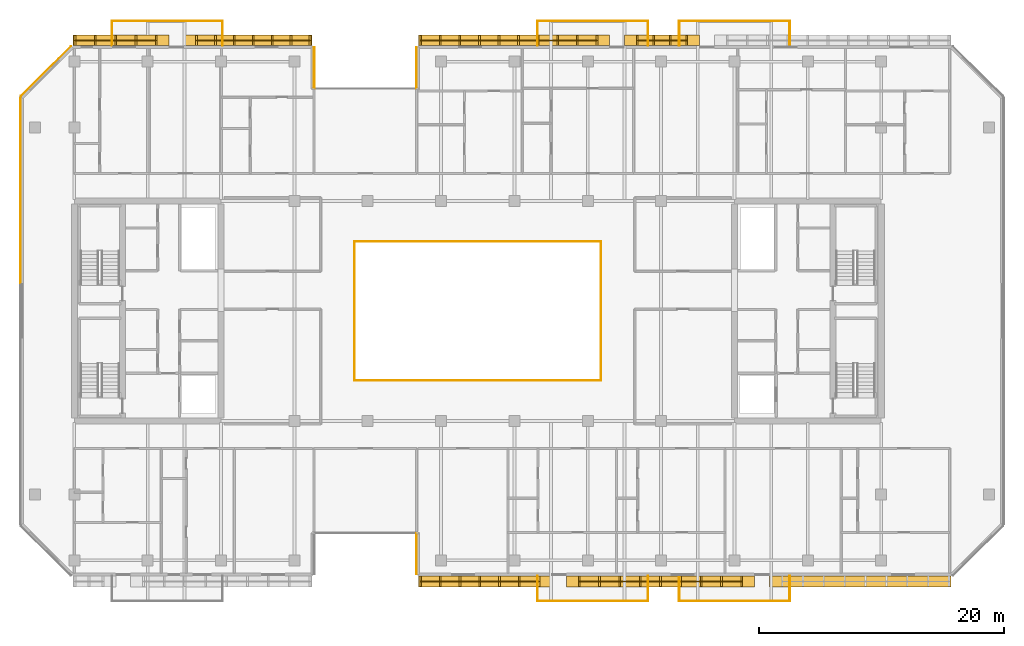
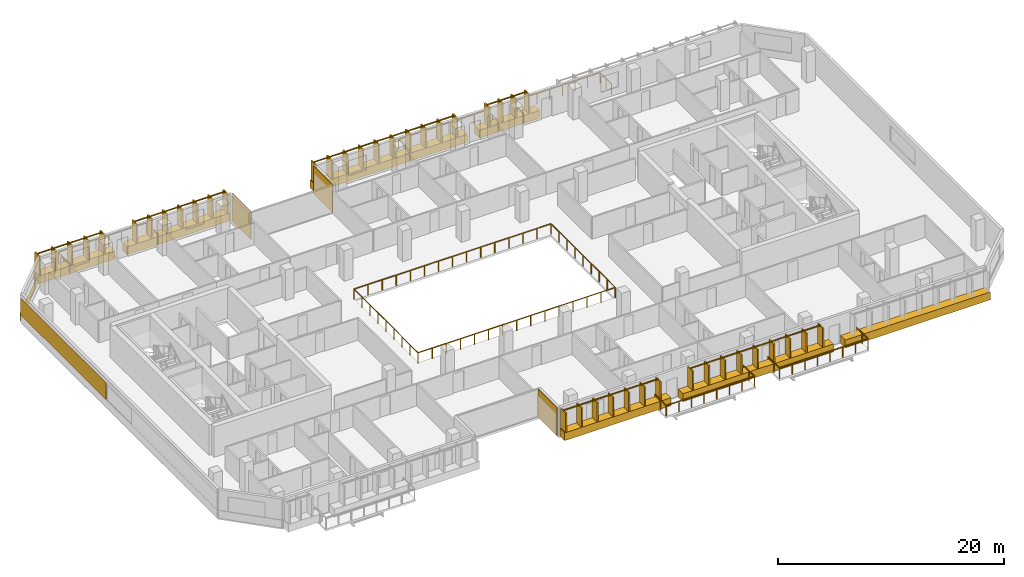
# One storey, part 18 of 20: 13 railings, 12 coverings.
"""IFC4 building model written with IfcOpenShell, lengths in metres."""

from ifc_helpers import new_model, si_unit, direction, frame, origin, origin_2d, place, context, subcontext, project, spatial, rectangle, extrude, material, layer, layer_set, type_object, element, save


model = new_model("IFC4")

# Units and contexts
model_context = context("Model", 3, precision=1e-05, world=origin(), true_north=direction((0.0, 1.0)))
body_context = subcontext(model_context, "Body", "Model", "MODEL_VIEW")
ifc_project = project(units=[si_unit("LENGTHUNIT", "METRE"), si_unit("AREAUNIT", "SQUARE_METRE"), si_unit("VOLUMEUNIT", "CUBIC_METRE"), si_unit("PLANEANGLEUNIT", "RADIAN"), si_unit("MASSUNIT", "GRAM", prefix="KILO")], contexts=[model_context])

# Site, building, storey
site_placement = place(None, origin())
site = spatial("IfcSite", under=ifc_project, at=site_placement, CompositionType="ELEMENT")
building_placement = place(site_placement, origin())
building = spatial("IfcBuilding", under=site, at=building_placement, Name="Tanjung Sevakor Pilgrim Tower", CompositionType="ELEMENT")
storey_placement = place(building_placement, frame((0.0, 0.0, 141.89990234375)))
storey = spatial("IfcBuildingStorey", under=building, at=storey_placement, Name="L39", CompositionType="ELEMENT", Elevation=141.89990234375)

# Coverings
ifc_material_1 = material(Name="Reconstructed Limestone Cladding", Category="masonry")
ifc_layer = layer(ifc_material_1, 0.044921875)
ifc_layer_set = layer_set([ifc_layer], Name="COV-CLAD-LIMESTONE")
covering_type = type_object("IfcCoveringType", Name="COV-CLAD-LIMESTONE", PredefinedType="CLADDING", material=ifc_layer_set)
covering_1_placement = place(storey_placement, frame((51.9775390625, 13.72509765625, 0.02001953125), z_axis=(0.0, 0.0, 1.0), x_axis=(0.0, -1.0, 0.0)))
element("IfcCovering", 1, at=covering_1_placement, inside=storey, type_object=covering_type, Name="L39 Warm Limestone Wall Cladding EW-L39-MAIN-4", PredefinedType="CLADDING", context=body_context, shape_type="SweptSolid", body=[
    extrude(rectangle(XDim=3.360107421875, YDim=0.044921875, at=origin_2d()), origin(), (0.0, 0.0, 1.0), 3.0400390625),
])
covering_2_placement = place(storey_placement, frame((57.6025390625, 11.469970703125, 0.01025390625), z_axis=(0.0, 0.0, 1.0), x_axis=(1.0, 0.0, 0.0)))
element("IfcCovering", 2, at=covering_2_placement, inside=storey, type_object=covering_type, Name="L39 Warm Limestone Sill Spandrel EW-L39-MAIN-5-1", PredefinedType="CLADDING", context=body_context, shape_type="SweptSolid", body=[
    extrude(rectangle(XDim=10.875, YDim=0.860107421875, at=origin_2d()), origin(), (0.0, 0.0, 1.0), 0.840087890625),
])
covering_3_placement = place(storey_placement, frame((71.949951171875, 11.469970703125, 0.01025390625), z_axis=(0.0, 0.0, 1.0), x_axis=(1.0, 0.0, 0.0)))
element("IfcCovering", 3, at=covering_3_placement, inside=storey, type_object=covering_type, Name="L39 Warm Limestone Sill Spandrel EW-L39-MAIN-5-2", PredefinedType="CLADDING", context=body_context, shape_type="SweptSolid", body=[
    extrude(rectangle(XDim=15.3798828125, YDim=0.860107421875, at=origin_2d()), origin(), (0.0, 0.0, 1.0), 0.840087890625),
])
covering_4_placement = place(storey_placement, frame((88.2841796875, 11.469970703125, 0.01025390625), z_axis=(0.0, 0.0, 1.0), x_axis=(1.0, 0.0, 0.0)))
element("IfcCovering", 4, at=covering_4_placement, inside=storey, type_object=covering_type, Name="L39 Warm Limestone Sill Spandrel EW-L39-MAIN-5-3", PredefinedType="CLADDING", context=body_context, shape_type="SweptSolid", body=[
    extrude(rectangle(XDim=14.84814453125, YDim=0.860107421875, at=origin_2d()), origin(), (0.0, 0.0, 1.0), 0.840087890625),
])
covering_5_placement = place(storey_placement, frame((72.074951171875, 55.72998046875, 0.01025390625), z_axis=(0.0, 0.0, 1.0), x_axis=(-1.0, 0.0, 0.0)))
element("IfcCovering", 5, at=covering_5_placement, inside=storey, type_object=covering_type, Name="L39 Warm Limestone Sill Spandrel EW-L39-MAIN-9-2", PredefinedType="CLADDING", context=body_context, shape_type="SweptSolid", body=[
    extrude(rectangle(XDim=6.1298828125, YDim=0.860107421875, at=origin_2d()), origin(), (0.0, 0.0, 1.0), 0.840087890625),
])
covering_6_placement = place(storey_placement, frame((59.9775390625, 55.72998046875, 0.01025390625), z_axis=(0.0, 0.0, 1.0), x_axis=(-1.0, 0.0, 0.0)))
element("IfcCovering", 6, at=covering_6_placement, inside=storey, type_object=covering_type, Name="L39 Warm Limestone Sill Spandrel EW-L39-MAIN-9-3", PredefinedType="CLADDING", context=body_context, shape_type="SweptSolid", body=[
    extrude(rectangle(XDim=15.625, YDim=0.860107421875, at=origin_2d()), origin(), (0.0, 0.0, 1.0), 0.840087890625),
])
for number, where, z_axis, x_axis, name in (
    (7, (51.9775390625, 53.47509765625, 0.02001953125), (0.0, 0.0, 1.0), (0.0, -1.0, 0.0), "L39 Warm Limestone Wall Cladding EW-L39-MAIN-10"),
    (8, (43.62255859375, 53.47509765625, 0.02001953125), (0.0, 0.0, 1.0), (0.0, 1.0, 0.0), "L39 Warm Limestone Wall Cladding EW-L39-MAIN-12"),
):
    element("IfcCovering", number, at=place(storey_placement, frame(where, z_axis=z_axis, x_axis=x_axis)), inside=storey, type_object=covering_type, Name=name, PredefinedType="CLADDING", context=body_context, shape_type="SweptSolid", body=[
        extrude(rectangle(XDim=3.360107421875, YDim=0.044921875, at=origin_2d()), origin(), (0.0, 0.0, 1.0), 3.0400390625),
    ])
covering_7_placement = place(storey_placement, frame((38.197509765625, 55.72998046875, 0.01025390625), z_axis=(0.0, 0.0, 1.0), x_axis=(-1.0, 0.0, 0.0)))
element("IfcCovering", 9, at=covering_7_placement, inside=storey, type_object=covering_type, Name="L39 Warm Limestone Sill Spandrel EW-L39-MAIN-13-1", PredefinedType="CLADDING", context=body_context, shape_type="SweptSolid", body=[
    extrude(rectangle(XDim=10.47509765625, YDim=0.860107421875, at=origin_2d()), origin(), (0.0, 0.0, 1.0), 0.840087890625),
])
covering_8_placement = place(storey_placement, frame((27.81591796875, 55.72998046875, 0.01025390625), z_axis=(0.0, 0.0, 1.0), x_axis=(-1.0, 0.0, 0.0)))
element("IfcCovering", 10, at=covering_8_placement, inside=storey, type_object=covering_type, Name="L39 Warm Limestone Sill Spandrel EW-L39-MAIN-13-2", PredefinedType="CLADDING", context=body_context, shape_type="SweptSolid", body=[
    extrude(rectangle(XDim=7.84814453125, YDim=0.860107421875, at=origin_2d()), origin(), (0.0, 0.0, 1.0), 0.840087890625),
])
covering_9_placement = place(storey_placement, frame((21.68408203125, 53.2158203125, 0.01025390625), z_axis=(0.0, 0.0, 1.0), x_axis=(-0.707106781187, -0.707106781187, 0.0)))
element("IfcCovering", 11, at=covering_9_placement, inside=storey, type_object=covering_type, Name="L39 Warm Limestone Sill Spandrel EW-CHM-L39-MAIN-13-1", PredefinedType="CLADDING", context=body_context, shape_type="SweptSolid", body=[
    extrude(rectangle(XDim=5.756103515625, YDim=0.044921875, at=origin_2d()), origin(), (0.0, 0.0, 1.0), 0.840087890625),
])
covering_10_placement = place(storey_placement, frame((19.577392578125, 43.42919921875, 0.85009765625), z_axis=(0.0, 0.0, 1.0), x_axis=(0.0, -1.0, 0.0)))
element("IfcCovering", 12, at=covering_10_placement, inside=storey, type_object=covering_type, Name="L39 Warm Limestone Pier Panel EW-L39-MAIN-15-1", PredefinedType="CLADDING", context=body_context, shape_type="SweptSolid", body=[
    extrude(rectangle(XDim=15.158203125, YDim=0.044921875, at=origin_2d()), origin(), (0.0, 0.0, 1.0), 1.81005859375),
])

# Railings
ifc_material_2 = material(Name="Laminated Glass and Aluminium", Category="aluminium")
railing_type_1 = type_object("IfcRailingType", Name="RL-BAL-BALUST", PredefinedType="BALUSTRADE", material=ifc_material_2)
railing_1_placement = place(storey_placement, frame((46.919921875, 27.919921875, 0.0)))
element("IfcRailing", 13, at=railing_1_placement, inside=storey, type_object=railing_type_1, Name="L39 Void Opening Balustrade 1A", PredefinedType="BALUSTRADE", context=body_context, shape_type="SweptSolid", body=[
    extrude(rectangle(XDim=0.0479, YDim=0.0479), frame((0.0, 0.0, 1.1259765625), z_axis=(1.0, 0.0, 0.0), x_axis=(0.0, 1.0, 0.0)), (0.0, 0.0, 1.0), 20.16015625),
    extrude(rectangle(XDim=0.0479, YDim=0.0479), frame((20.16015625, 0.0, 1.1259765625), z_axis=(0.0, 1.0, 0.0), x_axis=(-1.0, 0.0, 0.0)), (0.0, 0.0, 1.0), 11.360107421875),
    extrude(rectangle(XDim=0.042, YDim=0.042), origin(), (0.0, 0.0, 1.0), 1.101806640625),
    extrude(rectangle(XDim=0.042, YDim=0.042), frame((1.43994140625, 0.0, 0.0)), (0.0, 0.0, 1.0), 1.101806640625),
    extrude(rectangle(XDim=0.042, YDim=0.042), frame((2.880126953125, 0.0, 0.0)), (0.0, 0.0, 1.0), 1.101806640625),
    extrude(rectangle(XDim=0.042, YDim=0.042), frame((4.320068359375, 0.0, 0.0)), (0.0, 0.0, 1.0), 1.101806640625),
    extrude(rectangle(XDim=0.042, YDim=0.042), frame((5.760009765625, 0.0, 0.0)), (0.0, 0.0, 1.0), 1.101806640625),
    extrude(rectangle(XDim=0.042, YDim=0.042), frame((7.199951171875, 0.0, 0.0)), (0.0, 0.0, 1.0), 1.101806640625),
    extrude(rectangle(XDim=0.042, YDim=0.042), frame((8.64013671875, 0.0, 0.0)), (0.0, 0.0, 1.0), 1.101806640625),
    extrude(rectangle(XDim=0.042, YDim=0.042), frame((10.080078125, 0.0, 0.0)), (0.0, 0.0, 1.0), 1.101806640625),
    extrude(rectangle(XDim=0.042, YDim=0.042), frame((11.52001953125, 0.0, 0.0)), (0.0, 0.0, 1.0), 1.101806640625),
    extrude(rectangle(XDim=0.042, YDim=0.042), frame((12.960205078125, 0.0, 0.0)), (0.0, 0.0, 1.0), 1.101806640625),
    extrude(rectangle(XDim=0.042, YDim=0.042), frame((14.400146484375, 0.0, 0.0)), (0.0, 0.0, 1.0), 1.101806640625),
    extrude(rectangle(XDim=0.042, YDim=0.042), frame((15.840087890625, 0.0, 0.0)), (0.0, 0.0, 1.0), 1.101806640625),
    extrude(rectangle(XDim=0.042, YDim=0.042), frame((17.280029296875, 0.0, 0.0)), (0.0, 0.0, 1.0), 1.101806640625),
    extrude(rectangle(XDim=0.042, YDim=0.042), frame((18.72021484375, 0.0, 0.0)), (0.0, 0.0, 1.0), 1.101806640625),
    extrude(rectangle(XDim=0.042, YDim=0.042), frame((20.16015625, 0.0, 0.0)), (0.0, 0.0, 1.0), 1.101806640625),
    extrude(rectangle(XDim=0.042, YDim=0.042), frame((20.16015625, 1.419921875, 0.0)), (0.0, 0.0, 1.0), 1.101806640625),
    extrude(rectangle(XDim=0.042, YDim=0.042), frame((20.16015625, 2.840087890625, 0.0)), (0.0, 0.0, 1.0), 1.101806640625),
    extrude(rectangle(XDim=0.042, YDim=0.042), frame((20.16015625, 4.260009765625, 0.0)), (0.0, 0.0, 1.0), 1.101806640625),
    extrude(rectangle(XDim=0.042, YDim=0.042), frame((20.16015625, 5.68017578125, 0.0)), (0.0, 0.0, 1.0), 1.101806640625),
    extrude(rectangle(XDim=0.042, YDim=0.042), frame((20.16015625, 7.10009765625, 0.0)), (0.0, 0.0, 1.0), 1.101806640625),
    extrude(rectangle(XDim=0.042, YDim=0.042), frame((20.16015625, 8.52001953125, 0.0)), (0.0, 0.0, 1.0), 1.101806640625),
    extrude(rectangle(XDim=0.042, YDim=0.042), frame((20.16015625, 9.940185546875, 0.0)), (0.0, 0.0, 1.0), 1.101806640625),
    extrude(rectangle(XDim=0.042, YDim=0.042), frame((20.16015625, 11.360107421875, 0.0)), (0.0, 0.0, 1.0), 1.101806640625),
])
railing_2_placement = place(storey_placement, frame((67.080078125, 39.280029296875, 0.0)))
element("IfcRailing", 14, at=railing_2_placement, inside=storey, type_object=railing_type_1, Name="L39 Void Opening Balustrade 1B", PredefinedType="BALUSTRADE", context=body_context, shape_type="SweptSolid", body=[
    extrude(rectangle(XDim=0.0479, YDim=0.0479), frame((0.0, 0.0, 1.1259765625), z_axis=(-1.0, 0.0, 0.0), x_axis=(0.0, -1.0, 0.0)), (0.0, 0.0, 1.0), 20.16015625),
    extrude(rectangle(XDim=0.0479, YDim=0.0479), frame((-20.16015625, 0.0, 1.1259765625), z_axis=(0.0, -1.0, 0.0), x_axis=(1.0, 0.0, 0.0)), (0.0, 0.0, 1.0), 11.360107421875),
    extrude(rectangle(XDim=0.042, YDim=0.042), origin(), (0.0, 0.0, 1.0), 1.101806640625),
    extrude(rectangle(XDim=0.042, YDim=0.042), frame((-1.43994140625, 0.0, 0.0)), (0.0, 0.0, 1.0), 1.101806640625),
    extrude(rectangle(XDim=0.042, YDim=0.042), frame((-2.880126953125, 0.0, 0.0)), (0.0, 0.0, 1.0), 1.101806640625),
    extrude(rectangle(XDim=0.042, YDim=0.042), frame((-4.320068359375, 0.0, 0.0)), (0.0, 0.0, 1.0), 1.101806640625),
    extrude(rectangle(XDim=0.042, YDim=0.042), frame((-5.760009765625, 0.0, 0.0)), (0.0, 0.0, 1.0), 1.101806640625),
    extrude(rectangle(XDim=0.042, YDim=0.042), frame((-7.199951171875, 0.0, 0.0)), (0.0, 0.0, 1.0), 1.101806640625),
    extrude(rectangle(XDim=0.042, YDim=0.042), frame((-8.64013671875, 0.0, 0.0)), (0.0, 0.0, 1.0), 1.101806640625),
    extrude(rectangle(XDim=0.042, YDim=0.042), frame((-10.080078125, 0.0, 0.0)), (0.0, 0.0, 1.0), 1.101806640625),
    extrude(rectangle(XDim=0.042, YDim=0.042), frame((-11.52001953125, 0.0, 0.0)), (0.0, 0.0, 1.0), 1.101806640625),
    extrude(rectangle(XDim=0.042, YDim=0.042), frame((-12.960205078125, 0.0, 0.0)), (0.0, 0.0, 1.0), 1.101806640625),
    extrude(rectangle(XDim=0.042, YDim=0.042), frame((-14.400146484375, 0.0, 0.0)), (0.0, 0.0, 1.0), 1.101806640625),
    extrude(rectangle(XDim=0.042, YDim=0.042), frame((-15.840087890625, 0.0, 0.0)), (0.0, 0.0, 1.0), 1.101806640625),
    extrude(rectangle(XDim=0.042, YDim=0.042), frame((-17.280029296875, 0.0, 0.0)), (0.0, 0.0, 1.0), 1.101806640625),
    extrude(rectangle(XDim=0.042, YDim=0.042), frame((-18.72021484375, 0.0, 0.0)), (0.0, 0.0, 1.0), 1.101806640625),
    extrude(rectangle(XDim=0.042, YDim=0.042), frame((-20.16015625, 0.0, 0.0)), (0.0, 0.0, 1.0), 1.101806640625),
    extrude(rectangle(XDim=0.042, YDim=0.042), frame((-20.16015625, -1.419921875, 0.0)), (0.0, 0.0, 1.0), 1.101806640625),
    extrude(rectangle(XDim=0.042, YDim=0.042), frame((-20.16015625, -2.840087890625, 0.0)), (0.0, 0.0, 1.0), 1.101806640625),
    extrude(rectangle(XDim=0.042, YDim=0.042), frame((-20.16015625, -4.260009765625, 0.0)), (0.0, 0.0, 1.0), 1.101806640625),
    extrude(rectangle(XDim=0.042, YDim=0.042), frame((-20.16015625, -5.68017578125, 0.0)), (0.0, 0.0, 1.0), 1.101806640625),
    extrude(rectangle(XDim=0.042, YDim=0.042), frame((-20.16015625, -7.10009765625, 0.0)), (0.0, 0.0, 1.0), 1.101806640625),
    extrude(rectangle(XDim=0.042, YDim=0.042), frame((-20.16015625, -8.52001953125, 0.0)), (0.0, 0.0, 1.0), 1.101806640625),
    extrude(rectangle(XDim=0.042, YDim=0.042), frame((-20.16015625, -9.940185546875, 0.0)), (0.0, 0.0, 1.0), 1.101806640625),
    extrude(rectangle(XDim=0.042, YDim=0.042), frame((-20.16015625, -11.360107421875, 0.0)), (0.0, 0.0, 1.0), 1.101806640625),
])
railing_3_placement = place(storey_placement, frame((27.080078125, 55.300048828125, 0.0)))
element("IfcRailing", 15, at=railing_3_placement, inside=storey, type_object=railing_type_1, Name="L39 Loggia Balustrade MAIN-N1", PredefinedType="BALUSTRADE", context=body_context, shape_type="SweptSolid", body=[
    extrude(rectangle(XDim=0.0479, YDim=0.0479), frame((0.0, 0.0, 1.1259765625), z_axis=(0.0, 1.0, 0.0), x_axis=(-1.0, 0.0, 0.0)), (0.0, 0.0, 1.0), 2.02001953125),
    extrude(rectangle(XDim=0.0479, YDim=0.0479), frame((0.0, 2.02001953125, 1.1259765625), z_axis=(1.0, 0.0, 0.0), x_axis=(0.0, 1.0, 0.0)), (0.0, 0.0, 1.0), 9.0400390625),
    extrude(rectangle(XDim=0.0479, YDim=0.0479), frame((9.0400390625, 2.02001953125, 1.1259765625), z_axis=(0.0, -1.0, 0.0), x_axis=(1.0, 0.0, 0.0)), (0.0, 0.0, 1.0), 2.02001953125),
    extrude(rectangle(XDim=0.042, YDim=0.042), origin(), (0.0, 0.0, 1.0), 1.101806640625),
    extrude(rectangle(XDim=0.042, YDim=0.042), frame((0.0, 1.010009765625, 0.0)), (0.0, 0.0, 1.0), 1.101806640625),
    extrude(rectangle(XDim=0.042, YDim=0.042), frame((0.0, 2.02001953125, 0.0)), (0.0, 0.0, 1.0), 1.101806640625),
    extrude(rectangle(XDim=0.042, YDim=0.042), frame((1.29150390625, 2.02001953125, 0.0)), (0.0, 0.0, 1.0), 1.101806640625),
    extrude(rectangle(XDim=0.042, YDim=0.042), frame((2.582763671875, 2.02001953125, 0.0)), (0.0, 0.0, 1.0), 1.101806640625),
    extrude(rectangle(XDim=0.042, YDim=0.042), frame((3.874267578125, 2.02001953125, 0.0)), (0.0, 0.0, 1.0), 1.101806640625),
    extrude(rectangle(XDim=0.042, YDim=0.042), frame((5.165771484375, 2.02001953125, 0.0)), (0.0, 0.0, 1.0), 1.101806640625),
    extrude(rectangle(XDim=0.042, YDim=0.042), frame((6.457275390625, 2.02001953125, 0.0)), (0.0, 0.0, 1.0), 1.101806640625),
    extrude(rectangle(XDim=0.042, YDim=0.042), frame((7.74853515625, 2.02001953125, 0.0)), (0.0, 0.0, 1.0), 1.101806640625),
    extrude(rectangle(XDim=0.042, YDim=0.042), frame((9.0400390625, 2.02001953125, 0.0)), (0.0, 0.0, 1.0), 1.101806640625),
    extrude(rectangle(XDim=0.042, YDim=0.042), frame((9.0400390625, 1.010009765625, 0.0)), (0.0, 0.0, 1.0), 1.101806640625),
    extrude(rectangle(XDim=0.042, YDim=0.042), frame((9.0400390625, 0.0, 0.0)), (0.0, 0.0, 1.0), 1.101806640625),
])
railing_4_placement = place(storey_placement, frame((61.8798828125, 11.89990234375, 0.0)))
element("IfcRailing", 16, at=railing_4_placement, inside=storey, type_object=railing_type_1, Name="L39 Loggia Balustrade MAIN-S2", PredefinedType="BALUSTRADE", context=body_context, shape_type="SweptSolid", body=[
    extrude(rectangle(XDim=0.0479, YDim=0.0479), frame((0.0, 0.0, 1.1259765625), z_axis=(0.0, -1.0, 0.0), x_axis=(1.0, 0.0, 0.0)), (0.0, 0.0, 1.0), 2.02001953125),
    extrude(rectangle(XDim=0.0479, YDim=0.0479), frame((0.0, -2.02001953125, 1.1259765625), z_axis=(1.0, 0.0, 0.0), x_axis=(0.0, 1.0, 0.0)), (0.0, 0.0, 1.0), 9.0400390625),
    extrude(rectangle(XDim=0.0479, YDim=0.0479), frame((9.0400390625, -2.02001953125, 1.1259765625), z_axis=(0.0, 1.0, 0.0), x_axis=(-1.0, 0.0, 0.0)), (0.0, 0.0, 1.0), 2.02001953125),
    extrude(rectangle(XDim=0.042, YDim=0.042), origin(), (0.0, 0.0, 1.0), 1.101806640625),
    extrude(rectangle(XDim=0.042, YDim=0.042), frame((0.0, -1.010009765625, 0.0)), (0.0, 0.0, 1.0), 1.101806640625),
    extrude(rectangle(XDim=0.042, YDim=0.042), frame((0.0, -2.02001953125, 0.0)), (0.0, 0.0, 1.0), 1.101806640625),
    extrude(rectangle(XDim=0.042, YDim=0.042), frame((1.29150390625, -2.02001953125, 0.0)), (0.0, 0.0, 1.0), 1.101806640625),
    extrude(rectangle(XDim=0.042, YDim=0.042), frame((2.582763671875, -2.02001953125, 0.0)), (0.0, 0.0, 1.0), 1.101806640625),
    extrude(rectangle(XDim=0.042, YDim=0.042), frame((3.874267578125, -2.02001953125, 0.0)), (0.0, 0.0, 1.0), 1.101806640625),
    extrude(rectangle(XDim=0.042, YDim=0.042), frame((5.165771484375, -2.02001953125, 0.0)), (0.0, 0.0, 1.0), 1.101806640625),
    extrude(rectangle(XDim=0.042, YDim=0.042), frame((6.457275390625, -2.02001953125, 0.0)), (0.0, 0.0, 1.0), 1.101806640625),
    extrude(rectangle(XDim=0.042, YDim=0.042), frame((7.74853515625, -2.02001953125, 0.0)), (0.0, 0.0, 1.0), 1.101806640625),
    extrude(rectangle(XDim=0.042, YDim=0.042), frame((9.0400390625, -2.02001953125, 0.0)), (0.0, 0.0, 1.0), 1.101806640625),
    extrude(rectangle(XDim=0.042, YDim=0.042), frame((9.0400390625, -1.010009765625, 0.0)), (0.0, 0.0, 1.0), 1.101806640625),
    extrude(rectangle(XDim=0.042, YDim=0.042), frame((9.0400390625, 0.0, 0.0)), (0.0, 0.0, 1.0), 1.101806640625),
])
railing_5_placement = place(storey_placement, frame((61.8798828125, 55.300048828125, 0.0)))
element("IfcRailing", 17, at=railing_5_placement, inside=storey, type_object=railing_type_1, Name="L39 Loggia Balustrade MAIN-N2", PredefinedType="BALUSTRADE", context=body_context, shape_type="SweptSolid", body=[
    extrude(rectangle(XDim=0.0479, YDim=0.0479), frame((0.0, 0.0, 1.1259765625), z_axis=(0.0, 1.0, 0.0), x_axis=(-1.0, 0.0, 0.0)), (0.0, 0.0, 1.0), 2.02001953125),
    extrude(rectangle(XDim=0.0479, YDim=0.0479), frame((0.0, 2.02001953125, 1.1259765625), z_axis=(1.0, 0.0, 0.0), x_axis=(0.0, 1.0, 0.0)), (0.0, 0.0, 1.0), 9.0400390625),
    extrude(rectangle(XDim=0.0479, YDim=0.0479), frame((9.0400390625, 2.02001953125, 1.1259765625), z_axis=(0.0, -1.0, 0.0), x_axis=(1.0, 0.0, 0.0)), (0.0, 0.0, 1.0), 2.02001953125),
    extrude(rectangle(XDim=0.042, YDim=0.042), origin(), (0.0, 0.0, 1.0), 1.101806640625),
    extrude(rectangle(XDim=0.042, YDim=0.042), frame((0.0, 1.010009765625, 0.0)), (0.0, 0.0, 1.0), 1.101806640625),
    extrude(rectangle(XDim=0.042, YDim=0.042), frame((0.0, 2.02001953125, 0.0)), (0.0, 0.0, 1.0), 1.101806640625),
    extrude(rectangle(XDim=0.042, YDim=0.042), frame((1.29150390625, 2.02001953125, 0.0)), (0.0, 0.0, 1.0), 1.101806640625),
    extrude(rectangle(XDim=0.042, YDim=0.042), frame((2.582763671875, 2.02001953125, 0.0)), (0.0, 0.0, 1.0), 1.101806640625),
    extrude(rectangle(XDim=0.042, YDim=0.042), frame((3.874267578125, 2.02001953125, 0.0)), (0.0, 0.0, 1.0), 1.101806640625),
    extrude(rectangle(XDim=0.042, YDim=0.042), frame((5.165771484375, 2.02001953125, 0.0)), (0.0, 0.0, 1.0), 1.101806640625),
    extrude(rectangle(XDim=0.042, YDim=0.042), frame((6.457275390625, 2.02001953125, 0.0)), (0.0, 0.0, 1.0), 1.101806640625),
    extrude(rectangle(XDim=0.042, YDim=0.042), frame((7.74853515625, 2.02001953125, 0.0)), (0.0, 0.0, 1.0), 1.101806640625),
    extrude(rectangle(XDim=0.042, YDim=0.042), frame((9.0400390625, 2.02001953125, 0.0)), (0.0, 0.0, 1.0), 1.101806640625),
    extrude(rectangle(XDim=0.042, YDim=0.042), frame((9.0400390625, 1.010009765625, 0.0)), (0.0, 0.0, 1.0), 1.101806640625),
    extrude(rectangle(XDim=0.042, YDim=0.042), frame((9.0400390625, 0.0, 0.0)), (0.0, 0.0, 1.0), 1.101806640625),
])
railing_6_placement = place(storey_placement, frame((73.47998046875, 11.89990234375, 0.0)))
element("IfcRailing", 18, at=railing_6_placement, inside=storey, type_object=railing_type_1, Name="L39 Loggia Balustrade MAIN-S3", PredefinedType="BALUSTRADE", context=body_context, shape_type="SweptSolid", body=[
    extrude(rectangle(XDim=0.0479, YDim=0.0479), frame((0.0, 0.0, 1.1259765625), z_axis=(0.0, -1.0, 0.0), x_axis=(1.0, 0.0, 0.0)), (0.0, 0.0, 1.0), 2.02001953125),
    extrude(rectangle(XDim=0.0479, YDim=0.0479), frame((0.0, -2.02001953125, 1.1259765625), z_axis=(1.0, 0.0, 0.0), x_axis=(0.0, 1.0, 0.0)), (0.0, 0.0, 1.0), 9.0400390625),
    extrude(rectangle(XDim=0.0479, YDim=0.0479), frame((9.0400390625, -2.02001953125, 1.1259765625), z_axis=(0.0, 1.0, 0.0), x_axis=(-1.0, 0.0, 0.0)), (0.0, 0.0, 1.0), 2.02001953125),
    extrude(rectangle(XDim=0.042, YDim=0.042), origin(), (0.0, 0.0, 1.0), 1.101806640625),
    extrude(rectangle(XDim=0.042, YDim=0.042), frame((0.0, -1.010009765625, 0.0)), (0.0, 0.0, 1.0), 1.101806640625),
    extrude(rectangle(XDim=0.042, YDim=0.042), frame((0.0, -2.02001953125, 0.0)), (0.0, 0.0, 1.0), 1.101806640625),
    extrude(rectangle(XDim=0.042, YDim=0.042), frame((1.29150390625, -2.02001953125, 0.0)), (0.0, 0.0, 1.0), 1.101806640625),
    extrude(rectangle(XDim=0.042, YDim=0.042), frame((2.582763671875, -2.02001953125, 0.0)), (0.0, 0.0, 1.0), 1.101806640625),
    extrude(rectangle(XDim=0.042, YDim=0.042), frame((3.874267578125, -2.02001953125, 0.0)), (0.0, 0.0, 1.0), 1.101806640625),
    extrude(rectangle(XDim=0.042, YDim=0.042), frame((5.165771484375, -2.02001953125, 0.0)), (0.0, 0.0, 1.0), 1.101806640625),
    extrude(rectangle(XDim=0.042, YDim=0.042), frame((6.457275390625, -2.02001953125, 0.0)), (0.0, 0.0, 1.0), 1.101806640625),
    extrude(rectangle(XDim=0.042, YDim=0.042), frame((7.74853515625, -2.02001953125, 0.0)), (0.0, 0.0, 1.0), 1.101806640625),
    extrude(rectangle(XDim=0.042, YDim=0.042), frame((9.0400390625, -2.02001953125, 0.0)), (0.0, 0.0, 1.0), 1.101806640625),
    extrude(rectangle(XDim=0.042, YDim=0.042), frame((9.0400390625, -1.010009765625, 0.0)), (0.0, 0.0, 1.0), 1.101806640625),
    extrude(rectangle(XDim=0.042, YDim=0.042), frame((9.0400390625, 0.0, 0.0)), (0.0, 0.0, 1.0), 1.101806640625),
])
railing_7_placement = place(storey_placement, frame((73.47998046875, 55.300048828125, 0.0)))
element("IfcRailing", 19, at=railing_7_placement, inside=storey, type_object=railing_type_1, Name="L39 Loggia Balustrade MAIN-N3", PredefinedType="BALUSTRADE", context=body_context, shape_type="SweptSolid", body=[
    extrude(rectangle(XDim=0.0479, YDim=0.0479), frame((0.0, 0.0, 1.1259765625), z_axis=(0.0, 1.0, 0.0), x_axis=(-1.0, 0.0, 0.0)), (0.0, 0.0, 1.0), 2.02001953125),
    extrude(rectangle(XDim=0.0479, YDim=0.0479), frame((0.0, 2.02001953125, 1.1259765625), z_axis=(1.0, 0.0, 0.0), x_axis=(0.0, 1.0, 0.0)), (0.0, 0.0, 1.0), 9.0400390625),
    extrude(rectangle(XDim=0.0479, YDim=0.0479), frame((9.0400390625, 2.02001953125, 1.1259765625), z_axis=(0.0, -1.0, 0.0), x_axis=(1.0, 0.0, 0.0)), (0.0, 0.0, 1.0), 2.02001953125),
    extrude(rectangle(XDim=0.042, YDim=0.042), origin(), (0.0, 0.0, 1.0), 1.101806640625),
    extrude(rectangle(XDim=0.042, YDim=0.042), frame((0.0, 1.010009765625, 0.0)), (0.0, 0.0, 1.0), 1.101806640625),
    extrude(rectangle(XDim=0.042, YDim=0.042), frame((0.0, 2.02001953125, 0.0)), (0.0, 0.0, 1.0), 1.101806640625),
    extrude(rectangle(XDim=0.042, YDim=0.042), frame((1.29150390625, 2.02001953125, 0.0)), (0.0, 0.0, 1.0), 1.101806640625),
    extrude(rectangle(XDim=0.042, YDim=0.042), frame((2.582763671875, 2.02001953125, 0.0)), (0.0, 0.0, 1.0), 1.101806640625),
    extrude(rectangle(XDim=0.042, YDim=0.042), frame((3.874267578125, 2.02001953125, 0.0)), (0.0, 0.0, 1.0), 1.101806640625),
    extrude(rectangle(XDim=0.042, YDim=0.042), frame((5.165771484375, 2.02001953125, 0.0)), (0.0, 0.0, 1.0), 1.101806640625),
    extrude(rectangle(XDim=0.042, YDim=0.042), frame((6.457275390625, 2.02001953125, 0.0)), (0.0, 0.0, 1.0), 1.101806640625),
    extrude(rectangle(XDim=0.042, YDim=0.042), frame((7.74853515625, 2.02001953125, 0.0)), (0.0, 0.0, 1.0), 1.101806640625),
    extrude(rectangle(XDim=0.042, YDim=0.042), frame((9.0400390625, 2.02001953125, 0.0)), (0.0, 0.0, 1.0), 1.101806640625),
    extrude(rectangle(XDim=0.042, YDim=0.042), frame((9.0400390625, 1.010009765625, 0.0)), (0.0, 0.0, 1.0), 1.101806640625),
    extrude(rectangle(XDim=0.042, YDim=0.042), frame((9.0400390625, 0.0, 0.0)), (0.0, 0.0, 1.0), 1.101806640625),
])
ifc_material_3 = material(Name="Anodised Bronze Aluminium 6063-T6", Category="aluminium")
railing_type_2 = type_object("IfcRailingType", Name="RL-FIN-SCREEN", PredefinedType="BALUSTRADE", material=ifc_material_3)
railing_8_placement = place(storey_placement, frame((52.324951171875, 11.47509765625, 0.840087890625)))
element("IfcRailing", 20, at=railing_8_placement, inside=storey, type_object=railing_type_2, Name="L39 Vertical Bronze-Gold Solar Fin Screen FNSCR-EW-L39-MAIN-5-1", PredefinedType="BALUSTRADE", context=body_context, shape_type="SweptSolid", body=[
    extrude(rectangle(XDim=0.105, YDim=0.105), frame((0.0, 0.0, 2.157470703125), z_axis=(1.0, 0.0, 0.0), x_axis=(0.0, 1.0, 0.0)), (0.0, 0.0, 1.0), 9.675048828125),
    extrude(rectangle(XDim=0.14, YDim=0.85), origin(), (0.0, 0.0, 1.0), 2.10498046875),
    extrude(rectangle(XDim=0.14, YDim=0.85), frame((1.612548828125, 0.0, 0.0)), (0.0, 0.0, 1.0), 2.10498046875),
    extrude(rectangle(XDim=0.14, YDim=0.85), frame((3.22509765625, 0.0, 0.0)), (0.0, 0.0, 1.0), 2.10498046875),
    extrude(rectangle(XDim=0.14, YDim=0.85), frame((4.83740234375, 0.0, 0.0)), (0.0, 0.0, 1.0), 2.10498046875),
    extrude(rectangle(XDim=0.14, YDim=0.85), frame((6.449951171875, 0.0, 0.0)), (0.0, 0.0, 1.0), 2.10498046875),
    extrude(rectangle(XDim=0.14, YDim=0.85), frame((8.0625, 0.0, 0.0)), (0.0, 0.0, 1.0), 2.10498046875),
    extrude(rectangle(XDim=0.14, YDim=0.85), frame((9.675048828125, 0.0, 0.0)), (0.0, 0.0, 1.0), 2.10498046875),
])
railing_9_placement = place(storey_placement, frame((65.300048828125, 11.47509765625, 0.840087890625)))
element("IfcRailing", 21, at=railing_9_placement, inside=storey, type_object=railing_type_2, Name="L39 Vertical Bronze-Gold Solar Fin Screen FNSCR-EW-L39-MAIN-5-2", PredefinedType="BALUSTRADE", context=body_context, shape_type="SweptSolid", body=[
    extrude(rectangle(XDim=0.105, YDim=0.105), frame((0.0, 0.0, 2.157470703125), z_axis=(1.0, 0.0, 0.0), x_axis=(0.0, 1.0, 0.0)), (0.0, 0.0, 1.0), 13.300048828125),
    extrude(rectangle(XDim=0.14, YDim=0.85), origin(), (0.0, 0.0, 1.0), 2.10498046875),
    extrude(rectangle(XDim=0.14, YDim=0.85), frame((1.66259765625, 0.0, 0.0)), (0.0, 0.0, 1.0), 2.10498046875),
    extrude(rectangle(XDim=0.14, YDim=0.85), frame((3.324951171875, 0.0, 0.0)), (0.0, 0.0, 1.0), 2.10498046875),
    extrude(rectangle(XDim=0.14, YDim=0.85), frame((4.987548828125, 0.0, 0.0)), (0.0, 0.0, 1.0), 2.10498046875),
    extrude(rectangle(XDim=0.14, YDim=0.85), frame((6.64990234375, 0.0, 0.0)), (0.0, 0.0, 1.0), 2.10498046875),
    extrude(rectangle(XDim=0.14, YDim=0.85), frame((8.3125, 0.0, 0.0)), (0.0, 0.0, 1.0), 2.10498046875),
    extrude(rectangle(XDim=0.14, YDim=0.85), frame((9.97509765625, 0.0, 0.0)), (0.0, 0.0, 1.0), 2.10498046875),
    extrude(rectangle(XDim=0.14, YDim=0.85), frame((11.637451171875, 0.0, 0.0)), (0.0, 0.0, 1.0), 2.10498046875),
    extrude(rectangle(XDim=0.14, YDim=0.85), frame((13.300048828125, 0.0, 0.0)), (0.0, 0.0, 1.0), 2.10498046875),
])
railing_10_placement = place(storey_placement, frame((74.10009765625, 55.72509765625, 0.840087890625)))
element("IfcRailing", 22, at=railing_10_placement, inside=storey, type_object=railing_type_2, Name="L39 Vertical Bronze-Gold Solar Fin Screen FNSCR-EW-L39-MAIN-9-2", PredefinedType="BALUSTRADE", context=body_context, shape_type="SweptSolid", body=[
    extrude(rectangle(XDim=0.105, YDim=0.105), frame((0.0, 0.0, 2.157470703125), z_axis=(-1.0, 0.0, 0.0), x_axis=(0.0, -1.0, 0.0)), (0.0, 0.0, 1.0), 4.050048828125),
    extrude(rectangle(XDim=0.14, YDim=0.85), origin(), (0.0, 0.0, 1.0), 2.10498046875),
    extrude(rectangle(XDim=0.14, YDim=0.85), frame((-1.35009765625, 0.0, 0.0)), (0.0, 0.0, 1.0), 2.10498046875),
    extrude(rectangle(XDim=0.14, YDim=0.85), frame((-2.699951171875, 0.0, 0.0)), (0.0, 0.0, 1.0), 2.10498046875),
    extrude(rectangle(XDim=0.14, YDim=0.85), frame((-4.050048828125, 0.0, 0.0)), (0.0, 0.0, 1.0), 2.10498046875),
])
railing_11_placement = place(storey_placement, frame((66.75, 55.72509765625, 0.840087890625)))
element("IfcRailing", 23, at=railing_11_placement, inside=storey, type_object=railing_type_2, Name="L39 Vertical Bronze-Gold Solar Fin Screen FNSCR-EW-L39-MAIN-9-3", PredefinedType="BALUSTRADE", context=body_context, shape_type="SweptSolid", body=[
    extrude(rectangle(XDim=0.105, YDim=0.105), frame((0.0, 0.0, 2.157470703125), z_axis=(-1.0, 0.0, 0.0), x_axis=(0.0, -1.0, 0.0)), (0.0, 0.0, 1.0), 14.425048828125),
    extrude(rectangle(XDim=0.14, YDim=0.85), origin(), (0.0, 0.0, 1.0), 2.10498046875),
    extrude(rectangle(XDim=0.14, YDim=0.85), frame((-1.602783203125, 0.0, 0.0)), (0.0, 0.0, 1.0), 2.10498046875),
    extrude(rectangle(XDim=0.14, YDim=0.85), frame((-3.20556640625, 0.0, 0.0)), (0.0, 0.0, 1.0), 2.10498046875),
    extrude(rectangle(XDim=0.14, YDim=0.85), frame((-4.808349609375, 0.0, 0.0)), (0.0, 0.0, 1.0), 2.10498046875),
    extrude(rectangle(XDim=0.14, YDim=0.85), frame((-6.4111328125, 0.0, 0.0)), (0.0, 0.0, 1.0), 2.10498046875),
    extrude(rectangle(XDim=0.14, YDim=0.85), frame((-8.013916015625, 0.0, 0.0)), (0.0, 0.0, 1.0), 2.10498046875),
    extrude(rectangle(XDim=0.14, YDim=0.85), frame((-9.61669921875, 0.0, 0.0)), (0.0, 0.0, 1.0), 2.10498046875),
    extrude(rectangle(XDim=0.14, YDim=0.85), frame((-11.219482421875, 0.0, 0.0)), (0.0, 0.0, 1.0), 2.10498046875),
    extrude(rectangle(XDim=0.14, YDim=0.85), frame((-12.822265625, 0.0, 0.0)), (0.0, 0.0, 1.0), 2.10498046875),
    extrude(rectangle(XDim=0.14, YDim=0.85), frame((-14.425048828125, 0.0, 0.0)), (0.0, 0.0, 1.0), 2.10498046875),
])
railing_12_placement = place(storey_placement, frame((43.27490234375, 55.72509765625, 0.840087890625)))
element("IfcRailing", 24, at=railing_12_placement, inside=storey, type_object=railing_type_2, Name="L39 Vertical Bronze-Gold Solar Fin Screen FNSCR-EW-L39-MAIN-13-1", PredefinedType="BALUSTRADE", context=body_context, shape_type="SweptSolid", body=[
    extrude(rectangle(XDim=0.105, YDim=0.105), frame((0.0, 0.0, 2.157470703125), z_axis=(-1.0, 0.0, 0.0), x_axis=(0.0, -1.0, 0.0)), (0.0, 0.0, 1.0), 9.27490234375),
    extrude(rectangle(XDim=0.14, YDim=0.85), origin(), (0.0, 0.0, 1.0), 2.10498046875),
    extrude(rectangle(XDim=0.14, YDim=0.85), frame((-1.5458984375, 0.0, 0.0)), (0.0, 0.0, 1.0), 2.10498046875),
    extrude(rectangle(XDim=0.14, YDim=0.85), frame((-3.091552734375, 0.0, 0.0)), (0.0, 0.0, 1.0), 2.10498046875),
    extrude(rectangle(XDim=0.14, YDim=0.85), frame((-4.637451171875, 0.0, 0.0)), (0.0, 0.0, 1.0), 2.10498046875),
    extrude(rectangle(XDim=0.14, YDim=0.85), frame((-6.183349609375, 0.0, 0.0)), (0.0, 0.0, 1.0), 2.10498046875),
    extrude(rectangle(XDim=0.14, YDim=0.85), frame((-7.72900390625, 0.0, 0.0)), (0.0, 0.0, 1.0), 2.10498046875),
    extrude(rectangle(XDim=0.14, YDim=0.85), frame((-9.27490234375, 0.0, 0.0)), (0.0, 0.0, 1.0), 2.10498046875),
])
railing_13_placement = place(storey_placement, frame((30.699951171875, 55.72509765625, 0.840087890625)))
element("IfcRailing", 25, at=railing_13_placement, inside=storey, type_object=railing_type_2, Name="L39 Vertical Bronze-Gold Solar Fin Screen FNSCR-EW-L39-MAIN-13-2", PredefinedType="BALUSTRADE", context=body_context, shape_type="SweptSolid", body=[
    extrude(rectangle(XDim=0.105, YDim=0.105), frame((0.0, 0.0, 2.157470703125), z_axis=(-1.0, 0.0, 0.0), x_axis=(0.0, -1.0, 0.0)), (0.0, 0.0, 1.0), 6.648193359375),
    extrude(rectangle(XDim=0.14, YDim=0.85), origin(), (0.0, 0.0, 1.0), 2.10498046875),
    extrude(rectangle(XDim=0.14, YDim=0.85), frame((-1.662109375, 0.0, 0.0)), (0.0, 0.0, 1.0), 2.10498046875),
    extrude(rectangle(XDim=0.14, YDim=0.85), frame((-3.32421875, 0.0, 0.0)), (0.0, 0.0, 1.0), 2.10498046875),
    extrude(rectangle(XDim=0.14, YDim=0.85), frame((-4.986083984375, 0.0, 0.0)), (0.0, 0.0, 1.0), 2.10498046875),
    extrude(rectangle(XDim=0.14, YDim=0.85), frame((-6.648193359375, 0.0, 0.0)), (0.0, 0.0, 1.0), 2.10498046875),
])

save(model, "model.ifc")
